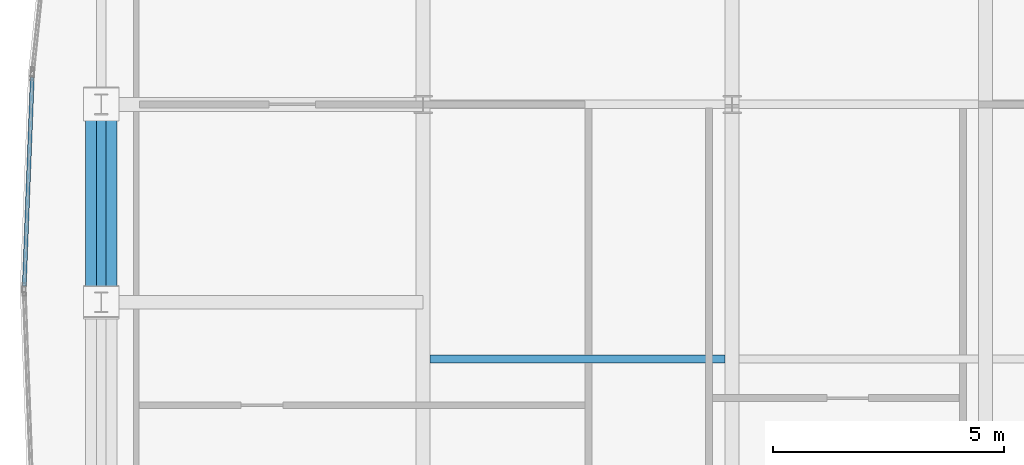
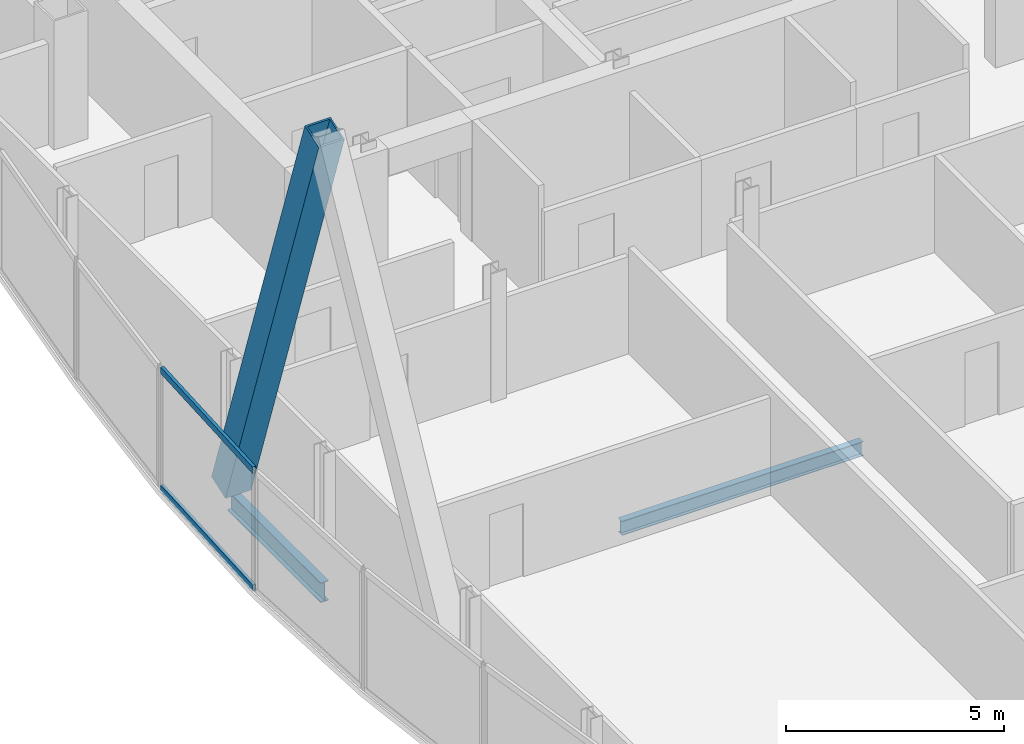
# One storey, part 10 of 29: 3 members, 2 beams, 1 element without a shape of its own.
"""IFC4 building model written with IfcOpenShell, lengths in metres."""

from ifc_helpers import new_model, si_unit, direction, frame, origin, origin_2d, place, context, subcontext, project, spatial, hollow_rectangle, i_section, extrude, material, material_profile, profile_set, type_object, element, aggregate, save


model = new_model("IFC4")

# Units and contexts
model_context = context("Model", 3, precision=1e-05, world=origin(), true_north=direction((0.0, 1.0)))
body_context = subcontext(model_context, "Body", "Model", "MODEL_VIEW")
ifc_project = project(units=[si_unit("LENGTHUNIT", "METRE"), si_unit("AREAUNIT", "SQUARE_METRE"), si_unit("VOLUMEUNIT", "CUBIC_METRE"), si_unit("PLANEANGLEUNIT", "RADIAN"), si_unit("MASSUNIT", "GRAM", prefix="KILO")], contexts=[model_context])

# Site, building, storey
site_placement = place(None, origin())
site = spatial("IfcSite", under=ifc_project, at=site_placement, CompositionType="ELEMENT")
building_placement = place(site_placement, origin())
building = spatial("IfcBuilding", under=site, at=building_placement, Name="Khoronbel Lancet Exchange", CompositionType="ELEMENT")
storey_placement = place(building_placement, frame((0.0, 0.0, 302.199951171875)))
storey = spatial("IfcBuildingStorey", under=building, at=storey_placement, Name="L78", CompositionType="ELEMENT", Elevation=302.199951171875)

# Beams
ifc_material_1 = material(Name="Steel S355", Category="steel")
ifc_material_profile_1 = material_profile(ifc_material_1, i_section(OverallWidth=0.179931640625, OverallDepth=0.39990234375, WebThickness=0.008544921875, FlangeThickness=0.013427734375, at=origin_2d()), Name="IPE 400")
ifc_profile_set_1 = profile_set([ifc_material_profile_1], Name="Steel S355")
beam_type_1 = type_object("IfcBeamType", Name="BM-BJ5", PredefinedType="JOIST", material=ifc_profile_set_1)
beam_1_placement = place(storey_placement, frame((18.375, 30.199951171875, -0.35986328125), z_axis=(1.0, 0.0, 0.0), x_axis=(0.0, 1.0, 0.0)))
element("IfcBeam", 1, at=beam_1_placement, inside=storey, type_object=beam_type_1, Name="Level L78 secondary composite joist J11", PredefinedType="JOIST", context=body_context, shape_type="SweptSolid", body=[
    extrude(i_section(OverallWidth=0.179931640625, OverallDepth=0.39990234375, WebThickness=0.008544921875, FlangeThickness=0.013427734375, at=origin_2d()), origin(), (0.0, 0.0, 1.0), 6.375),
])
ifc_material_profile_2 = material_profile(ifc_material_1, i_section(OverallWidth=0.2099609375, OverallDepth=0.550048828125, WebThickness=0.010986328125, FlangeThickness=0.01708984375, at=origin_2d()), Name="IPE 550")
ifc_profile_set_2 = profile_set([ifc_material_profile_2], Name="Steel S355")
beam_type_2 = type_object("IfcBeamType", Name="BM-BSP3", PredefinedType="SPANDREL", material=ifc_profile_set_2)
beam_2_placement = place(storey_placement, frame((11.27001953125, 35.699951171875, -0.43505859375), z_axis=(0.0, -1.0, 0.0), x_axis=(1.0, 0.0, 0.0)))
element("IfcBeam", 2, at=beam_2_placement, inside=storey, type_object=beam_type_2, Name="Level L78 perimeter spandrel beam SP18", PredefinedType="SPANDREL", context=body_context, shape_type="SweptSolid", body=[
    extrude(i_section(OverallWidth=0.2099609375, OverallDepth=0.550048828125, WebThickness=0.010986328125, FlangeThickness=0.01708984375, at=origin_2d()), origin(), (0.0, 0.0, 1.0), 4.27490234375),
])

# Curtain wall, members
ifc_material_2 = material(Name="Low-E Solar Control Insulating Glass", Category="glass")
curtain_wall_type = type_object("IfcCurtainWallType", Name="CW-4", PredefinedType="NOTDEFINED", material=ifc_material_2)
curtain_wall_placement = place(storey_placement, origin())
curtain_wall = element("IfcCurtainWall", 3, at=curtain_wall_placement, inside=storey, type_object=curtain_wall_type, Name="Unitised curtain wall CW-L78-E07", PredefinedType="NOTDEFINED")
ifc_material_3 = material(Name="Bronze-Anodised Aluminium 6063-T6", Category="aluminium")
ifc_material_profile_3 = material_profile(ifc_material_3, hollow_rectangle(XDim=0.0849609375, YDim=0.179931640625, WallThickness=0.0048828125, at=origin_2d()), Name="ALU TRANSOM 85x180")
ifc_profile_set_3 = profile_set([ifc_material_profile_3], Name="Bronze-Anodised Aluminium 6063-T6")
member_type_1 = type_object("IfcMemberType", Name="MEM-CWT1", PredefinedType="USERDEFINED", material=ifc_profile_set_3)
member_1_placement = place(storey_placement, frame((9.608154296875, 31.77490234375, 0.04248046875), z_axis=(0.038293948286, 0.999266517764, 0.0), x_axis=(-0.999266517764, 0.038293948286, 0.0)))
member_1 = element("IfcMember", 4, at=member_1_placement, type_object=member_type_1, Name="CW4 transom 1.1", ObjectType="TRANSOM", PredefinedType="USERDEFINED", context=body_context, shape_type="SweptSolid", body=[
    extrude(hollow_rectangle(XDim=0.0849609375, YDim=0.179931640625, WallThickness=0.0048828125, at=origin_2d()), origin(), (0.0, 0.0, 1.0), 4.513916015625),
])
member_2_placement = place(storey_placement, frame((9.608154296875, 31.77490234375, 3.337646484375), z_axis=(0.038293948286, 0.999266517764, 0.0), x_axis=(-0.999266517764, 0.038293948286, 0.0)))
member_2 = element("IfcMember", 5, at=member_2_placement, type_object=member_type_1, Name="CW4 transom 1.2", ObjectType="TRANSOM", PredefinedType="USERDEFINED", context=body_context, shape_type="SweptSolid", body=[
    extrude(hollow_rectangle(XDim=0.0849609375, YDim=0.179931640625, WallThickness=0.0048828125, at=origin_2d()), origin(), (0.0, 0.0, 1.0), 4.513916015625),
])
aggregate(curtain_wall, [member_1, member_2])

# Member
ifc_material_4 = material(Name="Steel S460", Category="steel")
ifc_material_profile_4 = material_profile(ifc_material_4, hollow_rectangle(XDim=0.679931640625, YDim=0.679931640625, WallThickness=0.044921875, at=origin_2d()), Name="BOX 680x680x45")
ifc_profile_set_4 = profile_set([ifc_material_profile_4], Name="Steel S460")
member_type_2 = type_object("IfcMemberType", Name="MEM-MB3", PredefinedType="BRACE", material=ifc_profile_set_4)
member_3_placement = place(storey_placement, frame((11.27001953125, 35.699951171875, 0.0), z_axis=(0.0, -0.325921846246, 0.945396715744), x_axis=(1.0, 0.0, 0.0)))
element("IfcMember", 6, at=member_3_placement, inside=storey, type_object=member_type_2, Name="Perimeter lancet brace tier 27 W-P-R", PredefinedType="BRACE", context=body_context, shape_type="SweptSolid", body=[
    extrude(hollow_rectangle(XDim=0.679931640625, YDim=0.679931640625, WallThickness=0.044921875, at=origin_2d()), origin(), (0.0, 0.0, 1.0), 13.116455078125),
])

save(model, "model.ifc")
